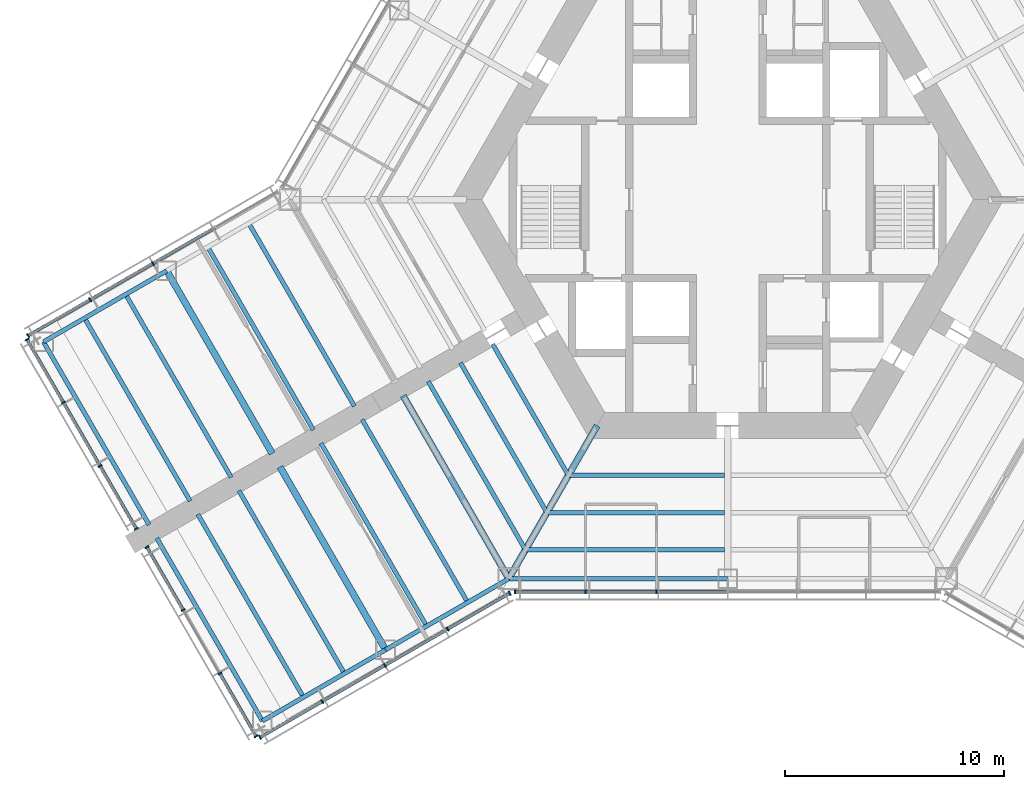
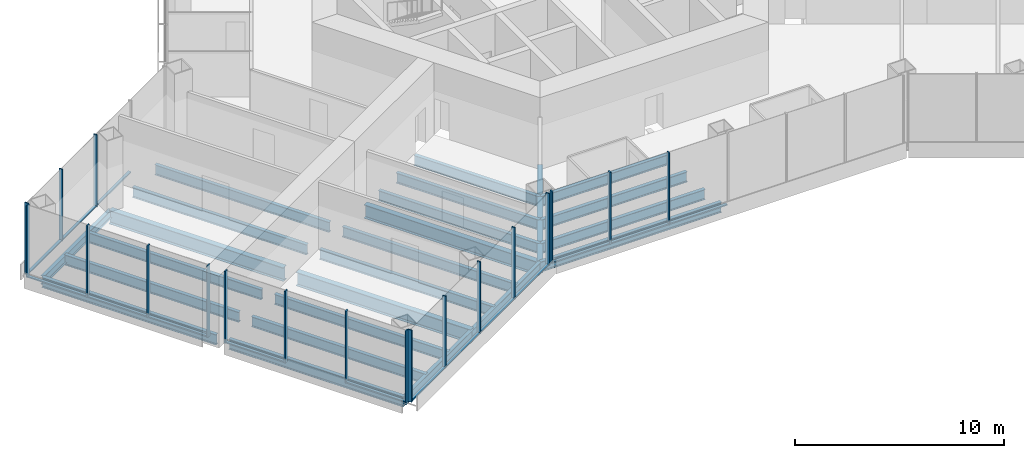
# One storey, part 2 of 17: 34 members, 24 beams, 5 elements without a shape of their own.
"""IFC4 building model written with IfcOpenShell, lengths in metres."""

from ifc_helpers import new_model, si_unit, direction, frame, origin, origin_2d, place, context, subcontext, project, spatial, rectangle, i_section, extrude, material, material_profile, profile_set, type_object, element, aggregate, save


model = new_model("IFC4")

# Units and contexts
model_context = context("Model", 3, precision=1e-05, world=origin(), true_north=direction((0.0, 1.0)))
body_context = subcontext(model_context, "Body", "Model", "MODEL_VIEW")
ifc_project = project(units=[si_unit("LENGTHUNIT", "METRE"), si_unit("AREAUNIT", "SQUARE_METRE"), si_unit("VOLUMEUNIT", "CUBIC_METRE"), si_unit("PLANEANGLEUNIT", "RADIAN"), si_unit("MASSUNIT", "GRAM", prefix="KILO")], contexts=[model_context])

# Site, building, storey
site_placement = place(None, origin())
site = spatial("IfcSite", under=ifc_project, at=site_placement, CompositionType="ELEMENT")
building_placement = place(site_placement, origin())
building = spatial("IfcBuilding", under=site, at=building_placement, Name="Kasaneha Research Tower", CompositionType="ELEMENT")
storey_placement = place(building_placement, frame((0.0, 0.0, 47.800048828125)))
storey = spatial("IfcBuildingStorey", under=building, at=storey_placement, Name="L12", CompositionType="ELEMENT", Elevation=47.800048828125)

# Beams
ifc_material_1 = material(Name="Steel SN490B", Category="steel")
ifc_material_profile_1 = material_profile(ifc_material_1, i_section(OverallWidth=0.199951171875, OverallDepth=0.60009765625, WebThickness=0.010986328125, FlangeThickness=0.01708984375, FilletRadius=0.012939453125, at=origin_2d()), Name="H-600x200x11x17")
ifc_profile_set_1 = profile_set([ifc_material_profile_1], Name="Steel SN490B")
beam_type_1 = type_object("IfcBeamType", Name="B1-2 secondary beam H-600x200x11x17", PredefinedType="JOIST", material=ifc_profile_set_1)
beam_1_placement = place(storey_placement, frame((-7.274658203125, -12.60009765625, -0.469970703125), z_axis=(-0.499972710878, 0.866041158593, 0.0), x_axis=(-0.866041158593, -0.499972710878, 0.0)))
element("IfcBeam", 1, at=beam_1_placement, inside=storey, type_object=beam_type_1, Name="Secondary beam RS210R1 L12", PredefinedType="JOIST", context=body_context, shape_type="SweptSolid", body=[
    extrude(i_section(OverallWidth=0.199951171875, OverallDepth=0.60009765625, WebThickness=0.010986328125, FlangeThickness=0.01708984375, FilletRadius=0.012939453125, at=origin_2d()), origin(), (0.0, 0.0, 1.0), 6.9248046875),
])
beam_2_placement = place(storey_placement, frame((-8.256103515625, -14.300048828125, -0.469970703125), z_axis=(-0.500004902938, 0.866022573054, 0.0), x_axis=(-0.866022573054, -0.500004902938, 0.0)))
element("IfcBeam", 2, at=beam_2_placement, inside=storey, type_object=beam_type_1, Name="Secondary beam RS210R2 L12", PredefinedType="JOIST", context=body_context, shape_type="SweptSolid", body=[
    extrude(i_section(OverallWidth=0.199951171875, OverallDepth=0.60009765625, WebThickness=0.010986328125, FlangeThickness=0.01708984375, FilletRadius=0.012939453125, at=origin_2d()), origin(), (0.0, 0.0, 1.0), 7.90625),
])
beam_3_placement = place(storey_placement, frame((-9.237548828125, -16.0, -0.469970703125), z_axis=(-0.500009382636, 0.866019986649, 0.0), x_axis=(-0.866019986649, -0.500009382636, 0.0)))
element("IfcBeam", 3, at=beam_3_placement, inside=storey, type_object=beam_type_1, Name="Secondary beam RS210R3 L12", PredefinedType="JOIST", context=body_context, shape_type="SweptSolid", body=[
    extrude(i_section(OverallWidth=0.199951171875, OverallDepth=0.60009765625, WebThickness=0.010986328125, FlangeThickness=0.01708984375, FilletRadius=0.012939453125, at=origin_2d()), origin(), (0.0, 0.0, 1.0), 8.887451171875),
])
beam_4_placement = place(storey_placement, frame((-7.274658203125, -12.60009765625, -0.469970703125), z_axis=(1.0, 0.0, 0.0), x_axis=(0.0, 1.0, 0.0)))
element("IfcBeam", 4, at=beam_4_placement, inside=storey, type_object=beam_type_1, Name="Secondary beam RS270L1 L12", PredefinedType="JOIST", context=body_context, shape_type="SweptSolid", body=[
    extrude(i_section(OverallWidth=0.199951171875, OverallDepth=0.60009765625, WebThickness=0.010986328125, FlangeThickness=0.01708984375, FilletRadius=0.012939453125, at=origin_2d()), origin(), (0.0, 0.0, 1.0), 7.124755859375),
])
beam_5_placement = place(storey_placement, frame((-8.256103515625, -14.300048828125, -0.469970703125), z_axis=(1.0, 0.0, 0.0), x_axis=(0.0, 1.0, 0.0)))
element("IfcBeam", 5, at=beam_5_placement, inside=storey, type_object=beam_type_1, Name="Secondary beam RS270L2 L12", PredefinedType="JOIST", context=body_context, shape_type="SweptSolid", body=[
    extrude(i_section(OverallWidth=0.199951171875, OverallDepth=0.60009765625, WebThickness=0.010986328125, FlangeThickness=0.01708984375, FilletRadius=0.012939453125, at=origin_2d()), origin(), (0.0, 0.0, 1.0), 8.106201171875),
])
beam_6_placement = place(storey_placement, frame((-9.237548828125, -16.0, -0.469970703125), z_axis=(1.0, 0.0, 0.0), x_axis=(0.0, 1.0, 0.0)))
element("IfcBeam", 6, at=beam_6_placement, inside=storey, type_object=beam_type_1, Name="Secondary beam RS270L3 L12", PredefinedType="JOIST", context=body_context, shape_type="SweptSolid", body=[
    extrude(i_section(OverallWidth=0.199951171875, OverallDepth=0.60009765625, WebThickness=0.010986328125, FlangeThickness=0.01708984375, FilletRadius=0.012939453125, at=origin_2d()), origin(), (0.0, 0.0, 1.0), 9.087646484375),
])
ifc_material_2 = material(Name="Steel SN490B", Category="steel")
ifc_material_profile_2 = material_profile(ifc_material_2, i_section(OverallWidth=0.198974609375, OverallDepth=0.595947265625, WebThickness=0.010009765625, FlangeThickness=0.014892578125, FilletRadius=0.012939453125, at=origin_2d()), Name="H-596x199x10x15")
ifc_profile_set_2 = profile_set([ifc_material_profile_2], Name="Steel SN490B")
beam_type_2 = type_object("IfcBeamType", Name="B2-2 secondary beam H-596x199x10x15", PredefinedType="JOIST", material=ifc_profile_set_2)
beam_7_placement = place(storey_placement, frame((-21.87646484375, -1.083251953125, -0.468017578125), z_axis=(0.500013717211, -0.866017484004, 0.0), x_axis=(0.866017484004, 0.500013717211, 0.0)))
element("IfcBeam", 7, at=beam_7_placement, inside=storey, type_object=beam_type_2, Name="Secondary beam WBBP1 L12", PredefinedType="JOIST", context=body_context, shape_type="SweptSolid", body=[
    extrude(i_section(OverallWidth=0.198974609375, OverallDepth=0.595947265625, WebThickness=0.010009765625, FlangeThickness=0.014892578125, FilletRadius=0.012939453125, at=origin_2d()), origin(), (0.0, 0.0, 1.0), 9.650146484375),
])
for number, where, z_axis, x_axis, name in (
    (8, (-23.752685546875, -2.166748046875, -0.468017578125), (0.499994742786, -0.866028439017, 0.0), (0.866028439017, 0.499994742786, 0.0), "Secondary beam WBBP2 L12"),
    (9, (-27.505615234375, -4.333251953125, -0.468017578125), (0.499994742786, -0.866028439017, 0.0), (0.866028439017, 0.499994742786, 0.0), "Secondary beam WBBP3 L12"),
    (10, (-29.3818359375, -5.416748046875, -0.468017578125), (0.499994742786, -0.866028439017, 0.0), (0.866028439017, 0.499994742786, 0.0), "Secondary beam WBBP4 L12"),
    (11, (-11.87646484375, -18.40380859375, -0.468017578125), (-0.499994742786, 0.866028439017, 0.0), (-0.866028439017, -0.499994742786, 0.0), "Secondary beam WBBN1 L12"),
    (12, (-13.752685546875, -19.487060546875, -0.468017578125), (-0.500024672494, 0.866011158645, 0.0), (-0.866011158645, -0.500024672494, 0.0), "Secondary beam WBBN2 L12"),
    (13, (-17.505615234375, -21.65380859375, -0.468017578125), (-0.499994742786, 0.866028439017, 0.0), (-0.866028439017, -0.499994742786, 0.0), "Secondary beam WBBN3 L12"),
    (14, (-19.3818359375, -22.737060546875, -0.468017578125), (-0.500024672494, 0.866011158645, 0.0), (-0.866011158645, -0.500024672494, 0.0), "Secondary beam WBBN4 L12"),
):
    element("IfcBeam", number, at=place(storey_placement, frame(where, z_axis=z_axis, x_axis=x_axis)), inside=storey, type_object=beam_type_2, Name=name, PredefinedType="JOIST", context=body_context, shape_type="SweptSolid", body=[
        extrude(i_section(OverallWidth=0.198974609375, OverallDepth=0.595947265625, WebThickness=0.010009765625, FlangeThickness=0.014892578125, FilletRadius=0.012939453125, at=origin_2d()), origin(), (0.0, 0.0, 1.0), 9.64990234375),
    ])

# Curtain wall, members
ifc_material_3 = material(Name="Glass and aluminium", Category="aluminium")
curtain_wall_type = type_object("IfcCurtainWallType", Name="Dry laboratory curtain wall", PredefinedType="USERDEFINED", material=ifc_material_3)
curtain_wall_1_placement = place(storey_placement, origin())
curtain_wall_1 = element("IfcCurtainWall", 15, at=curtain_wall_1_placement, inside=storey, type_object=curtain_wall_type, Name="CW-L2 L12 run 01a", ObjectType="UNITISED CURTAIN WALL", PredefinedType="USERDEFINED")
ifc_material_4 = material(Name="Aluminium 6063-T6", Category="aluminium")
ifc_material_profile_3 = material_profile(ifc_material_4, rectangle(XDim=0.06494140625, YDim=0.199951171875, at=origin_2d()), Name="CW-L2 mullion 65x200")
ifc_profile_set_3 = profile_set([ifc_material_profile_3], Name="Aluminium 6063-T6")
member_type_1 = type_object("IfcMemberType", Name="CW-L2 mullion", PredefinedType="MULLION", material=ifc_profile_set_3)
member_1_placement = place(storey_placement, frame((-21.36328125, -24.573974609375, 0.0), z_axis=(0.0, 0.0, 1.0), x_axis=(0.866025411464, 0.499999986699, 0.0)))
member_1 = element("IfcMember", 16, at=member_1_placement, type_object=member_type_1, Name="CW-L2 mullion 1", PredefinedType="MULLION", context=body_context, shape_type="SweptSolid", body=[
    extrude(rectangle(XDim=0.06494140625, YDim=0.199951171875, at=origin_2d()), origin(), (0.0, 0.0, 1.0), 4.199951171875),
])
member_2_placement = place(storey_placement, frame((-18.52490234375, -22.935302734375, 0.0), z_axis=(0.0, 0.0, 1.0), x_axis=(0.866025411464, 0.499999986699, 0.0)))
member_2 = element("IfcMember", 17, at=member_2_placement, type_object=member_type_1, Name="CW-L2 mullion 2", PredefinedType="MULLION", context=body_context, shape_type="SweptSolid", body=[
    extrude(rectangle(XDim=0.06494140625, YDim=0.199951171875, at=origin_2d()), origin(), (0.0, 0.0, 1.0), 4.199951171875),
])
member_3_placement = place(storey_placement, frame((-15.65869140625, -21.2802734375, 0.0), z_axis=(0.0, 0.0, 1.0), x_axis=(0.866025411464, 0.499999986699, 0.0)))
member_3 = element("IfcMember", 18, at=member_3_placement, type_object=member_type_1, Name="CW-L2 mullion 3", PredefinedType="MULLION", context=body_context, shape_type="SweptSolid", body=[
    extrude(rectangle(XDim=0.06494140625, YDim=0.199951171875, at=origin_2d()), origin(), (0.0, 0.0, 1.0), 4.199951171875),
])
member_4_placement = place(storey_placement, frame((-12.792236328125, -19.62548828125, 0.0), z_axis=(0.0, 0.0, 1.0), x_axis=(0.866025411464, 0.499999986699, 0.0)))
member_4 = element("IfcMember", 19, at=member_4_placement, type_object=member_type_1, Name="CW-L2 mullion 4", PredefinedType="MULLION", context=body_context, shape_type="SweptSolid", body=[
    extrude(rectangle(XDim=0.06494140625, YDim=0.199951171875, at=origin_2d()), origin(), (0.0, 0.0, 1.0), 4.199951171875),
])
member_5_placement = place(storey_placement, frame((-9.953857421875, -17.98681640625, 0.0), z_axis=(0.0, 0.0, 1.0), x_axis=(0.866025411464, 0.499999986699, 0.0)))
member_5 = element("IfcMember", 20, at=member_5_placement, type_object=member_type_1, Name="CW-L2 mullion 5", PredefinedType="MULLION", context=body_context, shape_type="SweptSolid", body=[
    extrude(rectangle(XDim=0.06494140625, YDim=0.199951171875, at=origin_2d()), origin(), (0.0, 0.0, 1.0), 4.199951171875),
])

curtain_wall_2_placement = place(storey_placement, origin())
curtain_wall_2 = element("IfcCurtainWall", 21, at=curtain_wall_2_placement, inside=storey, type_object=curtain_wall_type, Name="CW-L2 L12 run 02a", ObjectType="UNITISED CURTAIN WALL", PredefinedType="USERDEFINED")
member_6_placement = place(storey_placement, frame((-9.706787109375, -17.92041015625, 0.0), z_axis=(0.0, 0.0, 1.0), x_axis=(1.0, 0.0, 0.0)))
member_6 = element("IfcMember", 22, at=member_6_placement, type_object=member_type_1, Name="CW-L2 mullion 1", PredefinedType="MULLION", context=body_context, shape_type="SweptSolid", body=[
    extrude(rectangle(XDim=0.06494140625, YDim=0.199951171875, at=origin_2d()), origin(), (0.0, 0.0, 1.0), 4.199951171875),
])
member_7_placement = place(storey_placement, frame((-6.492919921875, -17.92041015625, 0.0), z_axis=(0.0, 0.0, 1.0), x_axis=(1.0, 0.0, 0.0)))
member_7 = element("IfcMember", 23, at=member_7_placement, type_object=member_type_1, Name="CW-L2 mullion 2", PredefinedType="MULLION", context=body_context, shape_type="SweptSolid", body=[
    extrude(rectangle(XDim=0.06494140625, YDim=0.199951171875, at=origin_2d()), origin(), (0.0, 0.0, 1.0), 4.199951171875),
])
member_8_placement = place(storey_placement, frame((-3.246337890625, -17.92041015625, 0.0), z_axis=(0.0, 0.0, 1.0), x_axis=(1.0, 0.0, 0.0)))
member_8 = element("IfcMember", 24, at=member_8_placement, type_object=member_type_1, Name="CW-L2 mullion 3", PredefinedType="MULLION", context=body_context, shape_type="SweptSolid", body=[
    extrude(rectangle(XDim=0.06494140625, YDim=0.199951171875, at=origin_2d()), origin(), (0.0, 0.0, 1.0), 4.199951171875),
])

curtain_wall_3_placement = place(storey_placement, origin())
curtain_wall_3 = element("IfcCurtainWall", 25, at=curtain_wall_3_placement, inside=storey, type_object=curtain_wall_type, Name="CW-L2 L12 run 13a", ObjectType="UNITISED CURTAIN WALL", PredefinedType="USERDEFINED")
member_9_placement = place(storey_placement, frame((-26.258544921875, -2.920654296875, 0.0), z_axis=(0.0, 0.0, 1.0), x_axis=(-0.866025411464, -0.499999986699, 0.0)))
member_9 = element("IfcMember", 26, at=member_9_placement, type_object=member_type_1, Name="CW-L2 mullion 3", PredefinedType="MULLION", context=body_context, shape_type="SweptSolid", body=[
    extrude(rectangle(XDim=0.06494140625, YDim=0.199951171875, at=origin_2d()), origin(), (0.0, 0.0, 1.0), 4.199951171875),
])
member_10_placement = place(storey_placement, frame((-29.125, -4.575439453125, 0.0), z_axis=(0.0, 0.0, 1.0), x_axis=(-0.866025411464, -0.499999986699, 0.0)))
member_10 = element("IfcMember", 27, at=member_10_placement, type_object=member_type_1, Name="CW-L2 mullion 4", PredefinedType="MULLION", context=body_context, shape_type="SweptSolid", body=[
    extrude(rectangle(XDim=0.06494140625, YDim=0.199951171875, at=origin_2d()), origin(), (0.0, 0.0, 1.0), 4.199951171875),
])
member_11_placement = place(storey_placement, frame((-31.963134765625, -6.214111328125, 0.0), z_axis=(0.0, 0.0, 1.0), x_axis=(-0.866025411464, -0.499999986699, 0.0)))
member_11 = element("IfcMember", 28, at=member_11_placement, type_object=member_type_1, Name="CW-L2 mullion 5", PredefinedType="MULLION", context=body_context, shape_type="SweptSolid", body=[
    extrude(rectangle(XDim=0.06494140625, YDim=0.199951171875, at=origin_2d()), origin(), (0.0, 0.0, 1.0), 4.199951171875),
])

curtain_wall_4_placement = place(storey_placement, origin())
curtain_wall_4 = element("IfcCurtainWall", 29, at=curtain_wall_4_placement, inside=storey, type_object=curtain_wall_type, Name="CW-L2 L12 run 14a", ObjectType="UNITISED CURTAIN WALL", PredefinedType="USERDEFINED")
member_12_placement = place(storey_placement, frame((-32.01171875, -6.39501953125, 0.0), z_axis=(0.0, 0.0, 1.0), x_axis=(0.500000011442, -0.866025397178, 0.0)))
member_12 = element("IfcMember", 30, at=member_12_placement, type_object=member_type_1, Name="CW-L2 mullion 1", PredefinedType="MULLION", context=body_context, shape_type="SweptSolid", body=[
    extrude(rectangle(XDim=0.06494140625, YDim=0.199951171875, at=origin_2d()), origin(), (0.0, 0.0, 1.0), 4.199951171875),
])
member_13_placement = place(storey_placement, frame((-30.35302734375, -9.26806640625, 0.0), z_axis=(0.0, 0.0, 1.0), x_axis=(0.500000011442, -0.866025397178, 0.0)))
member_13 = element("IfcMember", 31, at=member_13_placement, type_object=member_type_1, Name="CW-L2 mullion 2", PredefinedType="MULLION", context=body_context, shape_type="SweptSolid", body=[
    extrude(rectangle(XDim=0.06494140625, YDim=0.199951171875, at=origin_2d()), origin(), (0.0, 0.0, 1.0), 4.199951171875),
])
member_14_placement = place(storey_placement, frame((-28.677978515625, -12.16943359375, 0.0), z_axis=(0.0, 0.0, 1.0), x_axis=(0.500000011442, -0.866025397178, 0.0)))
member_14 = element("IfcMember", 32, at=member_14_placement, type_object=member_type_1, Name="CW-L2 mullion 3", PredefinedType="MULLION", context=body_context, shape_type="SweptSolid", body=[
    extrude(rectangle(XDim=0.06494140625, YDim=0.199951171875, at=origin_2d()), origin(), (0.0, 0.0, 1.0), 4.199951171875),
])
member_15_placement = place(storey_placement, frame((-27.019287109375, -15.04248046875, 0.0), z_axis=(0.0, 0.0, 1.0), x_axis=(0.500000011442, -0.866025397178, 0.0)))
member_15 = element("IfcMember", 33, at=member_15_placement, type_object=member_type_1, Name="CW-L2 mullion 4", PredefinedType="MULLION", context=body_context, shape_type="SweptSolid", body=[
    extrude(rectangle(XDim=0.06494140625, YDim=0.199951171875, at=origin_2d()), origin(), (0.0, 0.0, 1.0), 4.199951171875),
])

curtain_wall_5_placement = place(storey_placement, origin())
curtain_wall_5 = element("IfcCurtainWall", 34, at=curtain_wall_5_placement, inside=storey, type_object=curtain_wall_type, Name="CW-L2 L12 run 15a", ObjectType="UNITISED CURTAIN WALL", PredefinedType="USERDEFINED")
member_16_placement = place(storey_placement, frame((-26.53662109375, -15.878173828125, 0.0), z_axis=(0.0, 0.0, 1.0), x_axis=(0.500000011442, -0.866025397178, 0.0)))
member_16 = element("IfcMember", 35, at=member_16_placement, type_object=member_type_1, Name="CW-L2 mullion 1", PredefinedType="MULLION", context=body_context, shape_type="SweptSolid", body=[
    extrude(rectangle(XDim=0.06494140625, YDim=0.199951171875, at=origin_2d()), origin(), (0.0, 0.0, 1.0), 4.199951171875),
])
member_17_placement = place(storey_placement, frame((-24.8779296875, -18.751220703125, 0.0), z_axis=(0.0, 0.0, 1.0), x_axis=(0.500000011442, -0.866025397178, 0.0)))
member_17 = element("IfcMember", 36, at=member_17_placement, type_object=member_type_1, Name="CW-L2 mullion 2", PredefinedType="MULLION", context=body_context, shape_type="SweptSolid", body=[
    extrude(rectangle(XDim=0.06494140625, YDim=0.199951171875, at=origin_2d()), origin(), (0.0, 0.0, 1.0), 4.199951171875),
])
member_18_placement = place(storey_placement, frame((-23.202880859375, -21.65234375, 0.0), z_axis=(0.0, 0.0, 1.0), x_axis=(0.500000011442, -0.866025397178, 0.0)))
member_18 = element("IfcMember", 37, at=member_18_placement, type_object=member_type_1, Name="CW-L2 mullion 3", PredefinedType="MULLION", context=body_context, shape_type="SweptSolid", body=[
    extrude(rectangle(XDim=0.06494140625, YDim=0.199951171875, at=origin_2d()), origin(), (0.0, 0.0, 1.0), 4.199951171875),
])
member_19_placement = place(storey_placement, frame((-21.544189453125, -24.525390625, 0.0), z_axis=(0.0, 0.0, 1.0), x_axis=(0.500000011442, -0.866025397178, 0.0)))
member_19 = element("IfcMember", 38, at=member_19_placement, type_object=member_type_1, Name="CW-L2 mullion 4", PredefinedType="MULLION", context=body_context, shape_type="SweptSolid", body=[
    extrude(rectangle(XDim=0.06494140625, YDim=0.199951171875, at=origin_2d()), origin(), (0.0, 0.0, 1.0), 4.199951171875),
])

# Member
ifc_material_5 = material(Name="Aluminium 6063-T6", Category="aluminium")
ifc_material_profile_4 = material_profile(ifc_material_5, rectangle(XDim=0.14990234375, YDim=0.06494140625, at=origin_2d()), Name="CW-L2 transom 150x65")
ifc_profile_set_4 = profile_set([ifc_material_profile_4], Name="Aluminium 6063-T6")
member_type_2 = type_object("IfcMemberType", Name="CW-L2 transom", PredefinedType="USERDEFINED", material=ifc_profile_set_4)
member_20_placement = place(storey_placement, frame((-21.3349609375, -24.5576171875, 0.032470703125), z_axis=(0.86600331843, 0.500038251005, 0.0), x_axis=(-0.500038251005, 0.86600331843, 0.0)))
member_20 = element("IfcMember", 39, at=member_20_placement, type_object=member_type_2, Name="CW-L2 transom 1", ObjectType="TRANSOM", PredefinedType="USERDEFINED", context=body_context, shape_type="SweptSolid", body=[
    extrude(rectangle(XDim=0.14990234375, YDim=0.06494140625, at=origin_2d()), origin(), (0.0, 0.0, 1.0), 3.212158203125),
])

member_21_placement = place(storey_placement, frame((-18.496826171875, -22.9189453125, 0.032470703125), z_axis=(0.866035229914, 0.499982980259, 0.0), x_axis=(-0.499982980259, 0.866035229914, 0.0)))
member_21 = element("IfcMember", 40, at=member_21_placement, type_object=member_type_2, Name="CW-L2 transom 2", ObjectType="TRANSOM", PredefinedType="USERDEFINED", context=body_context, shape_type="SweptSolid", body=[
    extrude(rectangle(XDim=0.14990234375, YDim=0.06494140625, at=origin_2d()), origin(), (0.0, 0.0, 1.0), 3.24462890625),
])

member_22_placement = place(storey_placement, frame((-15.63037109375, -21.26416015625, 0.032470703125), z_axis=(0.866002649306, 0.500039409842, 0.0), x_axis=(-0.500039409842, 0.866002649306, 0.0)))
member_22 = element("IfcMember", 41, at=member_22_placement, type_object=member_type_2, Name="CW-L2 transom 3", ObjectType="TRANSOM", PredefinedType="USERDEFINED", context=body_context, shape_type="SweptSolid", body=[
    extrude(rectangle(XDim=0.14990234375, YDim=0.06494140625, at=origin_2d()), origin(), (0.0, 0.0, 1.0), 3.244873046875),
])

member_23_placement = place(storey_placement, frame((-12.76416015625, -19.609130859375, 0.032470703125), z_axis=(0.866022320763, 0.500005339912, 0.0), x_axis=(-0.500005339912, 0.866022320763, 0.0)))
member_23 = element("IfcMember", 42, at=member_23_placement, type_object=member_type_2, Name="CW-L2 transom 4", ObjectType="TRANSOM", PredefinedType="USERDEFINED", context=body_context, shape_type="SweptSolid", body=[
    extrude(rectangle(XDim=0.14990234375, YDim=0.06494140625, at=origin_2d()), origin(), (0.0, 0.0, 1.0), 3.21240234375),
])

aggregate(curtain_wall_1, [member_1, member_2, member_3, member_4, member_5, member_20, member_21, member_22, member_23])

member_24_placement = place(storey_placement, frame((-9.67431640625, -17.92041015625, 0.032470703125), z_axis=(1.0, 0.0, 0.0), x_axis=(0.0, 1.0, 0.0)))
member_24 = element("IfcMember", 43, at=member_24_placement, type_object=member_type_2, Name="CW-L2 transom 1", ObjectType="TRANSOM", PredefinedType="USERDEFINED", context=body_context, shape_type="SweptSolid", body=[
    extrude(rectangle(XDim=0.14990234375, YDim=0.06494140625, at=origin_2d()), origin(), (0.0, 0.0, 1.0), 3.14892578125),
])

member_25_placement = place(storey_placement, frame((-6.460205078125, -17.92041015625, 0.032470703125), z_axis=(1.0, 0.0, 0.0), x_axis=(0.0, 1.0, 0.0)))
member_25 = element("IfcMember", 44, at=member_25_placement, type_object=member_type_2, Name="CW-L2 transom 2", ObjectType="TRANSOM", PredefinedType="USERDEFINED", context=body_context, shape_type="SweptSolid", body=[
    extrude(rectangle(XDim=0.14990234375, YDim=0.06494140625, at=origin_2d()), origin(), (0.0, 0.0, 1.0), 3.181396484375),
])

member_26_placement = place(storey_placement, frame((-3.2138671875, -17.92041015625, 0.032470703125), z_axis=(1.0, 0.0, 0.0), x_axis=(0.0, 1.0, 0.0)))
member_26 = element("IfcMember", 45, at=member_26_placement, type_object=member_type_2, Name="CW-L2 transom 3", ObjectType="TRANSOM", PredefinedType="USERDEFINED", context=body_context, shape_type="SweptSolid", body=[
    extrude(rectangle(XDim=0.14990234375, YDim=0.06494140625, at=origin_2d()), origin(), (0.0, 0.0, 1.0), 3.181396484375),
])

aggregate(curtain_wall_2, [member_6, member_7, member_8, member_24, member_25, member_26])

member_27_placement = place(storey_placement, frame((-23.42041015625, -1.281982421875, 0.032470703125), z_axis=(-0.866035229914, -0.499982980259, 0.0), x_axis=(0.499982980259, -0.866035229914, 0.0)))
member_27 = element("IfcMember", 46, at=member_27_placement, type_object=member_type_2, Name="CW-L2 transom 2", ObjectType="TRANSOM", PredefinedType="USERDEFINED", context=body_context, shape_type="SweptSolid", body=[
    extrude(rectangle(XDim=0.14990234375, YDim=0.06494140625, at=origin_2d()), origin(), (0.0, 0.0, 1.0), 3.24462890625),
])

member_28_placement = place(storey_placement, frame((-26.28662109375, -2.936767578125, 0.032470703125), z_axis=(-0.866021460221, -0.500006830391, 0.0), x_axis=(0.500006830391, -0.866021460221, 0.0)))
member_28 = element("IfcMember", 47, at=member_28_placement, type_object=member_type_2, Name="CW-L2 transom 3", ObjectType="TRANSOM", PredefinedType="USERDEFINED", context=body_context, shape_type="SweptSolid", body=[
    extrude(rectangle(XDim=0.14990234375, YDim=0.06494140625, at=origin_2d()), origin(), (0.0, 0.0, 1.0), 3.2451171875),
])

member_29_placement = place(storey_placement, frame((-29.153076171875, -4.591796875, 0.032470703125), z_axis=(-0.866022320763, -0.500005339912, 0.0), x_axis=(0.500005339912, -0.866022320763, 0.0)))
member_29 = element("IfcMember", 48, at=member_29_placement, type_object=member_type_2, Name="CW-L2 transom 4", ObjectType="TRANSOM", PredefinedType="USERDEFINED", context=body_context, shape_type="SweptSolid", body=[
    extrude(rectangle(XDim=0.14990234375, YDim=0.06494140625, at=origin_2d()), origin(), (0.0, 0.0, 1.0), 3.21240234375),
])

aggregate(curtain_wall_3, [member_9, member_10, member_11, member_27, member_28, member_29])

member_30_placement = place(storey_placement, frame((-31.995361328125, -6.42333984375, 0.032470703125), z_axis=(0.500006189695, -0.866021830133, 0.0), x_axis=(0.866021830133, 0.500006189695, 0.0)))
member_30 = element("IfcMember", 49, at=member_30_placement, type_object=member_type_2, Name="CW-L2 transom 1", ObjectType="TRANSOM", PredefinedType="USERDEFINED", context=body_context, shape_type="SweptSolid", body=[
    extrude(rectangle(XDim=0.14990234375, YDim=0.06494140625, at=origin_2d()), origin(), (0.0, 0.0, 1.0), 3.25244140625),
])

member_31_placement = place(storey_placement, frame((-30.336669921875, -9.29638671875, 0.032470703125), z_axis=(0.500039835994, -0.866002403241, 0.0), x_axis=(0.866002403241, 0.500039835994, 0.0)))
member_31 = element("IfcMember", 50, at=member_31_placement, type_object=member_type_2, Name="CW-L2 transom 2", ObjectType="TRANSOM", PredefinedType="USERDEFINED", context=body_context, shape_type="SweptSolid", body=[
    extrude(rectangle(XDim=0.14990234375, YDim=0.06494140625, at=origin_2d()), origin(), (0.0, 0.0, 1.0), 3.284912109375),
])

member_32_placement = place(storey_placement, frame((-28.66162109375, -12.197509765625, 0.032470703125), z_axis=(0.500006189695, -0.866021830133, 0.0), x_axis=(0.866021830133, 0.500006189695, 0.0)))
member_32 = element("IfcMember", 51, at=member_32_placement, type_object=member_type_2, Name="CW-L2 transom 3", ObjectType="TRANSOM", PredefinedType="USERDEFINED", context=body_context, shape_type="SweptSolid", body=[
    extrude(rectangle(XDim=0.14990234375, YDim=0.06494140625, at=origin_2d()), origin(), (0.0, 0.0, 1.0), 3.25244140625),
])

aggregate(curtain_wall_4, [member_12, member_13, member_14, member_15, member_30, member_31, member_32])

member_33_placement = place(storey_placement, frame((-26.5205078125, -15.90625, 0.032470703125), z_axis=(0.500006189695, -0.866021830133, 0.0), x_axis=(0.866021830133, 0.500006189695, 0.0)))
member_33 = element("IfcMember", 52, at=member_33_placement, type_object=member_type_2, Name="CW-L2 transom 1", ObjectType="TRANSOM", PredefinedType="USERDEFINED", context=body_context, shape_type="SweptSolid", body=[
    extrude(rectangle(XDim=0.14990234375, YDim=0.06494140625, at=origin_2d()), origin(), (0.0, 0.0, 1.0), 3.25244140625),
])

member_34_placement = place(storey_placement, frame((-23.186767578125, -21.680419921875, 0.032470703125), z_axis=(0.499973687205, -0.866040594951, 0.0), x_axis=(0.866040594951, 0.499973687205, 0.0)))
member_34 = element("IfcMember", 53, at=member_34_placement, type_object=member_type_2, Name="CW-L2 transom 3", ObjectType="TRANSOM", PredefinedType="USERDEFINED", context=body_context, shape_type="SweptSolid", body=[
    extrude(rectangle(XDim=0.14990234375, YDim=0.06494140625, at=origin_2d()), origin(), (0.0, 0.0, 1.0), 3.252685546875),
])

aggregate(curtain_wall_5, [member_16, member_17, member_18, member_19, member_33, member_34])

# Beams
ifc_material_6 = material(Name="Steel SN490B", Category="steel")
ifc_material_profile_5 = material_profile(ifc_material_6, i_section(OverallWidth=0.300048828125, OverallDepth=0.699951171875, WebThickness=0.012939453125, FlangeThickness=0.02392578125, FilletRadius=0.01806640625, at=origin_2d()), Name="H-700x300x13x24")
ifc_profile_set_5 = profile_set([ifc_material_profile_5], Name="Steel SN490B")
beam_type_3 = type_object("IfcBeamType", Name="G1-2 radial girder H-700x300x13x24", PredefinedType="BEAM", material=ifc_profile_set_5)
beam_8_placement = place(storey_placement, frame((-5.961181640625, -10.324951171875, -0.52001953125), z_axis=(-0.49999105496, -0.866030568144, 0.0), x_axis=(0.866030568144, -0.49999105496, 0.0)))
element("IfcBeam", 54, at=beam_8_placement, inside=storey, type_object=beam_type_3, Name="Radial girder RV240 L12", PredefinedType="BEAM", context=body_context, shape_type="SweptSolid", body=[
    extrude(i_section(OverallWidth=0.300048828125, OverallDepth=0.699951171875, WebThickness=0.012939453125, FlangeThickness=0.02392578125, FilletRadius=0.01806640625, at=origin_2d()), origin(), (0.0, 0.0, 1.0), 8.077880859375),
])
ifc_material_7 = material(Name="Steel SN490B", Category="steel")
ifc_material_profile_6 = material_profile(ifc_material_7, i_section(OverallWidth=0.300048828125, OverallDepth=0.7919921875, WebThickness=0.013916015625, FlangeThickness=0.02197265625, FilletRadius=0.01806640625, at=origin_2d()), Name="H-792x300x14x22")
ifc_profile_set_6 = profile_set([ifc_material_profile_6], Name="Steel SN490B")
beam_type_4 = type_object("IfcBeamType", Name="G3-2 plate edge girder H-792x300x14x22", PredefinedType="BEAM", material=ifc_profile_set_6)
beam_9_placement = place(storey_placement, frame((-10.0, -17.320556640625, -0.566162109375), z_axis=(-0.499994742786, 0.866028439017, 0.0), x_axis=(-0.866028439017, -0.499994742786, 0.0)))
element("IfcBeam", 55, at=beam_9_placement, inside=storey, type_object=beam_type_4, Name="Plate edge girder PEBN L12", PredefinedType="BEAM", context=body_context, shape_type="SweptSolid", body=[
    extrude(i_section(OverallWidth=0.300048828125, OverallDepth=0.7919921875, WebThickness=0.013916015625, FlangeThickness=0.02197265625, FilletRadius=0.01806640625, at=origin_2d()), origin(), (0.0, 0.0, 1.0), 9.64990234375),
])
ifc_material_8 = material(Name="Steel SN490B", Category="steel")
ifc_material_profile_7 = material_profile(ifc_material_8, i_section(OverallWidth=0.300048828125, OverallDepth=0.800048828125, WebThickness=0.013916015625, FlangeThickness=0.02587890625, FilletRadius=0.01806640625, at=origin_2d()), Name="H-800x300x14x26")
ifc_profile_set_7 = profile_set([ifc_material_profile_7], Name="Steel SN490B")
beam_type_5 = type_object("IfcBeamType", Name="G4-2 wing girder H-800x300x14x26", PredefinedType="BEAM", material=ifc_profile_set_7)
for number, where, z_axis, x_axis, name in (
    (56, (-25.629150390625, -3.25, -0.570068359375), (0.499994742786, -0.866028439017, 0.0), (0.866028439017, 0.499994742786, 0.0), "Wing girder WGBP L12"),
    (57, (-15.629150390625, -20.570556640625, -0.570068359375), (-0.499994742786, 0.866028439017, 0.0), (-0.866028439017, -0.499994742786, 0.0), "Wing girder WGBN L12"),
):
    element("IfcBeam", number, at=place(storey_placement, frame(where, z_axis=z_axis, x_axis=x_axis)), inside=storey, type_object=beam_type_5, Name=name, PredefinedType="BEAM", context=body_context, shape_type="SweptSolid", body=[
        extrude(i_section(OverallWidth=0.300048828125, OverallDepth=0.800048828125, WebThickness=0.013916015625, FlangeThickness=0.02587890625, FilletRadius=0.01806640625, at=origin_2d()), origin(), (0.0, 0.0, 1.0), 9.64990234375),
    ])
ifc_material_9 = material(Name="Steel SN490B", Category="steel")
ifc_material_profile_8 = material_profile(ifc_material_9, i_section(OverallWidth=0.199951171875, OverallDepth=0.60009765625, WebThickness=0.010986328125, FlangeThickness=0.01708984375, FilletRadius=0.012939453125, at=origin_2d()), Name="H-600x200x11x17")
ifc_profile_set_8 = profile_set([ifc_material_profile_8], Name="Steel SN490B")
beam_type_6 = type_object("IfcBeamType", Name="SB1-2 spandrel beam H-600x200x11x17", PredefinedType="SPANDREL", material=ifc_profile_set_8)
beam_10_placement = place(storey_placement, frame((-10.0, -17.320556640625, -0.469970703125), z_axis=(1.0, 0.0, 0.0), x_axis=(0.0, 1.0, 0.0)))
element("IfcBeam", 58, at=beam_10_placement, inside=storey, type_object=beam_type_6, Name="Spandrel beam SR270L L12", PredefinedType="SPANDREL", context=body_context, shape_type="SweptSolid", body=[
    extrude(i_section(OverallWidth=0.199951171875, OverallDepth=0.60009765625, WebThickness=0.010986328125, FlangeThickness=0.01708984375, FilletRadius=0.012939453125, at=origin_2d()), origin(), (0.0, 0.0, 1.0), 10.0),
])
ifc_material_10 = material(Name="Steel SN490B", Category="steel")
ifc_material_profile_9 = material_profile(ifc_material_10, i_section(OverallWidth=0.199951171875, OverallDepth=0.5, WebThickness=0.010009765625, FlangeThickness=0.01611328125, FilletRadius=0.012939453125, at=origin_2d()), Name="H-500x200x10x16")
ifc_profile_set_9 = profile_set([ifc_material_profile_9], Name="Steel SN490B")
beam_type_7 = type_object("IfcBeamType", Name="SB2-2 spandrel beam H-500x200x10x16", PredefinedType="SPANDREL", material=ifc_profile_set_9)
for number, where, z_axis, x_axis, name in (
    (59, (-25.629150390625, -3.25, -0.420166015625), (-0.866024837091, -0.50000098154, 0.0), (0.50000098154, -0.866024837091, 0.0), "Spandrel beam WSBP2 L12"),
    (60, (-10.0, -17.320556640625, -0.420166015625), (-0.866024837091, -0.50000098154, 0.0), (0.50000098154, -0.866024837091, 0.0), "Spandrel beam WSBN1 L12"),
    (61, (-15.629150390625, -20.570556640625, -0.420166015625), (-0.866024837091, -0.50000098154, 0.0), (0.50000098154, -0.866024837091, 0.0), "Spandrel beam WSBN2 L12"),
):
    element("IfcBeam", number, at=place(storey_placement, frame(where, z_axis=z_axis, x_axis=x_axis)), inside=storey, type_object=beam_type_7, Name=name, PredefinedType="SPANDREL", context=body_context, shape_type="SweptSolid", body=[
        extrude(i_section(OverallWidth=0.199951171875, OverallDepth=0.5, WebThickness=0.010009765625, FlangeThickness=0.01611328125, FilletRadius=0.012939453125, at=origin_2d()), origin(), (0.0, 0.0, 1.0), 6.5),
    ])
ifc_material_11 = material(Name="Steel SN490B", Category="steel")
ifc_material_profile_10 = material_profile(ifc_material_11, i_section(OverallWidth=0.199951171875, OverallDepth=0.60009765625, WebThickness=0.010986328125, FlangeThickness=0.01708984375, FilletRadius=0.012939453125, at=origin_2d()), Name="H-600x200x11x17")
ifc_profile_set_10 = profile_set([ifc_material_profile_10], Name="Steel SN490B")
beam_type_8 = type_object("IfcBeamType", Name="SB3-2 spandrel beam H-600x200x11x17", PredefinedType="SPANDREL", material=ifc_profile_set_10)
for number, where, z_axis, x_axis, name in (
    (62, (-31.25830078125, -6.5, -0.469970703125), (0.499994742786, -0.866028439017, 0.0), (0.866028439017, 0.499994742786, 0.0), "Spandrel beam WTBP L12"),
    (63, (-21.25830078125, -23.820556640625, -0.469970703125), (-0.499994742786, 0.866028439017, 0.0), (-0.866028439017, -0.499994742786, 0.0), "Spandrel beam WTBN L12"),
):
    element("IfcBeam", number, at=place(storey_placement, frame(where, z_axis=z_axis, x_axis=x_axis)), inside=storey, type_object=beam_type_8, Name=name, PredefinedType="SPANDREL", context=body_context, shape_type="SweptSolid", body=[
        extrude(i_section(OverallWidth=0.199951171875, OverallDepth=0.60009765625, WebThickness=0.010986328125, FlangeThickness=0.01708984375, FilletRadius=0.012939453125, at=origin_2d()), origin(), (0.0, 0.0, 1.0), 9.64990234375),
    ])

save(model, "model.ifc")
